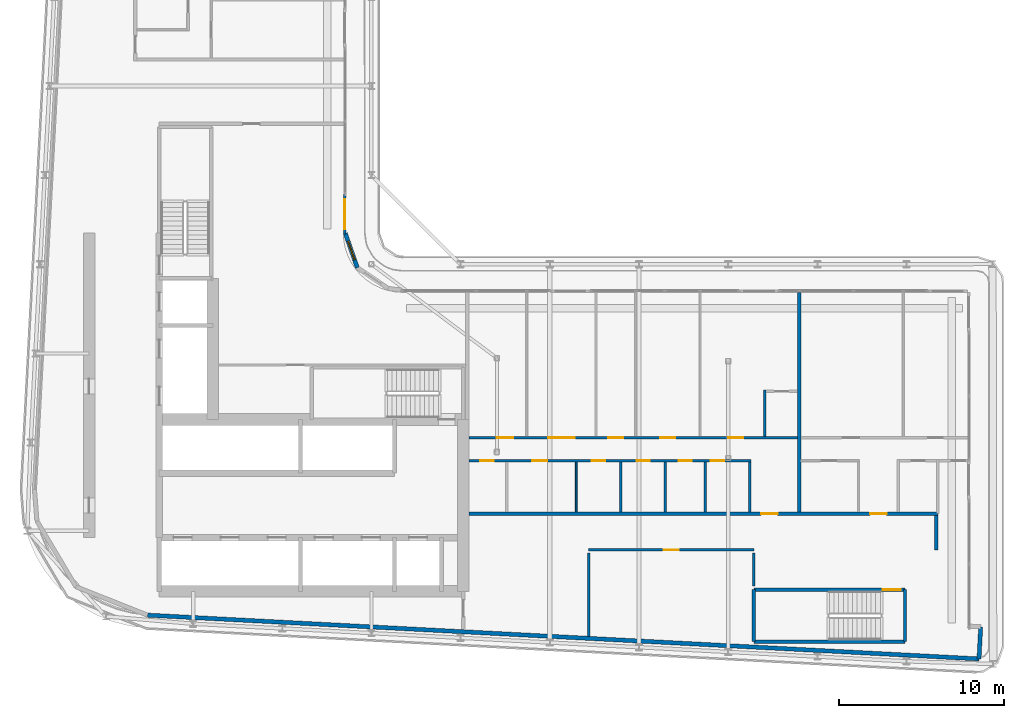
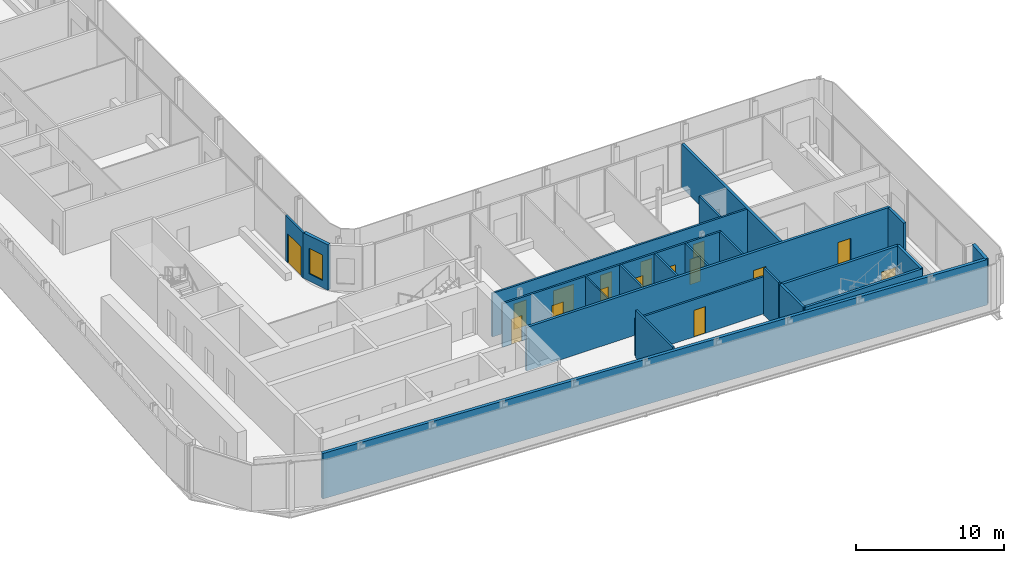
# One storey, part 11 of 21: 22 walls, 16 doors, 1 window, 17 openings.
"""IFC4 building model written with IfcOpenShell, lengths in metres."""

from ifc_helpers import new_model, si_unit, direction, frame, frame_2d, origin, place, context, subcontext, project, spatial, rectangle, extrude, source, transform, mapped, material, layer, layer_set, type_object, element, fill, save


model = new_model("IFC4")

# Units and contexts
model_context = context("Model", 3, precision=1e-05, world=origin(), true_north=direction((0.0, 1.0)))
body_context = subcontext(model_context, "Body", "Model", "MODEL_VIEW")
ifc_project = project(units=[si_unit("LENGTHUNIT", "METRE"), si_unit("AREAUNIT", "SQUARE_METRE"), si_unit("VOLUMEUNIT", "CUBIC_METRE"), si_unit("PLANEANGLEUNIT", "RADIAN"), si_unit("MASSUNIT", "GRAM", prefix="KILO")], contexts=[model_context])

# Site, building, storey
site_placement = place(None, origin())
site = spatial("IfcSite", under=ifc_project, at=site_placement, CompositionType="ELEMENT")
building_placement = place(site_placement, origin())
building = spatial("IfcBuilding", under=site, at=building_placement, Name="Kheshtan School and Residences Tower", CompositionType="ELEMENT")
storey_placement = place(building_placement, frame((0.0, 0.0, 227.89990234375)))
storey = spatial("IfcBuildingStorey", under=building, at=storey_placement, Name="L53", CompositionType="ELEMENT", Elevation=227.89990234375)

# Wall, openings, doors
ifc_material_1 = material(Name="Gypsum board on steel studs with fire boards", Category="steel")
ifc_layer_1 = layer(ifc_material_1, 0.199951171875)
ifc_layer_set_1 = layer_set([ifc_layer_1], Name="Corridor wall 200")
wall_type_1 = type_object("IfcWallType", Name="Corridor wall 200", PredefinedType="PARTITIONING", material=ifc_layer_set_1)
wall_1_placement = place(storey_placement, frame((53.4990234375, 30.5, 0.0), z_axis=(0.0, 0.0, 1.0), x_axis=(1.0, 0.0, 0.0)))
wall_1 = element("IfcWall", 1, at=wall_1_placement, inside=storey, type_object=wall_type_1, Name="Partition L53-024", PredefinedType="PARTITIONING", context=body_context, shape_type="SweptSolid", body=[
    extrude(rectangle(XDim=28.40087890625, YDim=0.199951171875, at=frame_2d((14.200439453125, 0.0))), origin(), (0.0, 0.0, 1.0), 3.60009765625),
])
opening_1_placement = place(wall_1_placement, frame((17.700927734375, 0.0, 0.0)))
opening_1 = element("IfcOpeningElement", 2, at=opening_1_placement, cuts=wall_1, Name="Opening D52-007", PredefinedType="OPENING", context=body_context, shape_type="SweptSolid", body=[
    extrude(rectangle(XDim=1.0, YDim=2.10009765625, at=frame_2d((0.5, 1.050048828125))), frame((0.0, 0.10986328125, 0.0), z_axis=(0.0, -1.0, 0.0), x_axis=(1.0, 0.0, 0.0)), (0.0, 0.0, 1.0), 0.219970703125),
])
opening_2_placement = place(wall_1_placement, frame((24.301025390625, 0.0, 0.0)))
opening_2 = element("IfcOpeningElement", 3, at=opening_2_placement, cuts=wall_1, Name="Opening D52-016", PredefinedType="OPENING", context=body_context, shape_type="SweptSolid", body=[
    extrude(rectangle(XDim=1.0, YDim=2.10009765625, at=frame_2d((0.5, 1.050048828125))), frame((0.0, 0.10986328125, 0.0), z_axis=(0.0, -1.0, 0.0), x_axis=(1.0, 0.0, 0.0)), (0.0, 0.0, 1.0), 0.219970703125),
])
ifc_material_2 = material(Name="Steel-framed fire-resisting door leaf", Category="steel")
door_type_1 = type_object("IfcDoorType", Name="Fire door FD30S 1000 x 2100", OperationType="SINGLE_SWING_LEFT", PredefinedType="DOOR", material=ifc_material_2)
shared_shape_1 = source(origin(), body_context, "Body", "SweptSolid", [
    extrude(rectangle(XDim=1.0, YDim=2.10009765625, at=frame_2d((0.5, 1.050048828125))), frame((0.0, 0.02490234375, 0.0), z_axis=(0.0, -1.0, 0.0), x_axis=(1.0, 0.0, 0.0)), (0.0, 0.0, 1.0), 0.050048828125),
])
door_1_placement = place(opening_1_placement, origin())
door_1 = element("IfcDoor", 4, at=door_1_placement, inside=storey, type_object=door_type_1, Name="Door D52-007", OperationType="SINGLE_SWING_LEFT", OverallHeight=2.10009765625, OverallWidth=1.0, PredefinedType="DOOR", context=body_context, shape_type="MappedRepresentation", body=[
    mapped(shared_shape_1, transform((0.0, 0.0, 0.0), x_axis=(1.0, 0.0, 0.0), y_axis=(0.0, 1.0, 0.0), z_axis=(0.0, 0.0, 1.0), scale=1.0)),
])
fill(opening_1, door_1)
door_2_placement = place(opening_2_placement, origin())
door_2 = element("IfcDoor", 5, at=door_2_placement, inside=storey, type_object=door_type_1, Name="Door D52-016", OperationType="SINGLE_SWING_LEFT", OverallHeight=2.10009765625, OverallWidth=1.0, PredefinedType="DOOR", context=body_context, shape_type="MappedRepresentation", body=[
    mapped(shared_shape_1, transform((0.0, 0.0, 0.0), x_axis=(1.0, 0.0, 0.0), y_axis=(0.0, 1.0, 0.0), z_axis=(0.0, 0.0, 1.0), scale=1.0)),
])
fill(opening_2, door_2)

# Wall
wall_2_placement = place(storey_placement, frame((81.800048828125, 28.300048828125, 0.0), z_axis=(0.0, 0.0, 1.0), x_axis=(0.0, 1.0, 0.0)))
element("IfcWall", 6, at=wall_2_placement, inside=storey, type_object=wall_type_1, Name="Partition L53-046", PredefinedType="PARTITIONING", context=body_context, shape_type="SweptSolid", body=[
    extrude(rectangle(XDim=2.099853515625, YDim=0.199951171875, at=frame_2d((1.0498046875, 0.0))), origin(), (0.0, 0.0, 1.0), 3.60009765625),
])

# Wall, opening, window
ifc_material_3 = material(Name="Concrete C40/50 with ceramic cladding and mineral wool insulation", Category="concrete")
ifc_layer_2 = layer(ifc_material_3, 0.25)
ifc_layer_set_2 = layer_set([ifc_layer_2], Name="External wall 250 ceramic clad")
wall_type_2 = type_object("IfcWallType", Name="External wall 250 ceramic clad", PredefinedType="SOLIDWALL", material=ifc_layer_set_2)
wall_3_placement = place(storey_placement, frame((46.01806640625, 47.470947265625, 0.0), z_axis=(0.0, 0.0, 1.0), x_axis=(0.328791208903, -0.944402637093, 0.0)))
wall_3 = element("IfcWall", 7, at=wall_3_placement, inside=storey, type_object=wall_type_2, Name="External wall L53 5", PredefinedType="SOLIDWALL", context=body_context, shape_type="SweptSolid", body=[
    extrude(rectangle(XDim=2.20458984375, YDim=0.25, at=frame_2d((1.102294921875, 0.0))), origin(), (0.0, 0.0, 1.0), 3.75),
])
opening_3_placement = place(wall_3_placement, frame((0.5029296875, 0.0, 0.60009765625)))
opening_3 = element("IfcOpeningElement", 8, at=opening_3_placement, cuts=wall_3, Name="Opening WN-E", PredefinedType="OPENING", context=body_context, shape_type="SweptSolid", body=[
    extrude(rectangle(XDim=1.199951171875, YDim=2.10009765625, at=frame_2d((0.60009765625, 1.050048828125))), frame((0.0, 0.135009765625, 0.0), z_axis=(0.0, -1.0, 0.0), x_axis=(1.0, 0.0, 0.0)), (0.0, 0.0, 1.0), 0.27001953125),
])
ifc_material_4 = material(Name="Clear low-e glass in thermally broken aluminium frame", Category="aluminium")
window_type = type_object("IfcWindowType", Name="Window WN-E", PartitioningType="SINGLE_PANEL", PredefinedType="WINDOW", material=ifc_material_4)
shared_shape_2 = source(origin(), body_context, "Body", "SweptSolid", [
    extrude(rectangle(XDim=1.199951171875, YDim=2.10009765625, at=frame_2d((0.60009765625, 1.050048828125))), frame((0.0, 0.030029296875, 0.0), z_axis=(0.0, -1.0, 0.0), x_axis=(1.0, 0.0, 0.0)), (0.0, 0.0, 1.0), 0.06005859375),
])
window_placement = place(opening_3_placement, origin())
window = element("IfcWindow", 9, at=window_placement, inside=storey, type_object=window_type, Name="Window L53 5", OverallHeight=2.10009765625, OverallWidth=1.199951171875, PartitioningType="SINGLE_PANEL", PredefinedType="WINDOW", context=body_context, shape_type="MappedRepresentation", body=[
    mapped(shared_shape_2, transform((0.0, 0.0, 0.0), x_axis=(1.0, 0.0, 0.0), y_axis=(0.0, 1.0, 0.0), z_axis=(0.0, 0.0, 1.0), scale=1.0)),
])
fill(opening_3, window)

# Walls
wall_4_placement = place(storey_placement, frame((84.489013671875, 23.64990234375, 0.0), z_axis=(0.0, 0.0, 1.0), x_axis=(-0.052841433274, -0.998602915542, 0.0)))
element("IfcWall", 10, at=wall_4_placement, inside=storey, type_object=wall_type_2, Name="External wall L53 11", PredefinedType="SOLIDWALL", context=body_context, shape_type="SweptSolid", body=[
    extrude(rectangle(XDim=1.94970703125, YDim=0.25, at=frame_2d((0.974853515625, 0.0))), origin(), (0.0, 0.0, 1.0), 3.75),
])
wall_5_placement = place(storey_placement, frame((84.385986328125, 21.702880859375, 0.0), z_axis=(0.0, 0.0, 1.0), x_axis=(-0.998617508267, 0.05256493302, 0.0)))
element("IfcWall", 11, at=wall_5_placement, inside=storey, type_object=wall_type_2, Name="External wall L53 12", PredefinedType="SOLIDWALL", context=body_context, shape_type="SweptSolid", body=[
    extrude(rectangle(XDim=50.41650390625, YDim=0.25, at=frame_2d((25.208251953125, 0.0))), origin(), (0.0, 0.0, 1.0), 3.75),
])

# Wall, opening, door
ifc_material_5 = material(Name="Aluminium frame wall with insulated infill", Category="aluminium")
ifc_layer_3 = layer(ifc_material_5, 0.14990234375)
ifc_layer_set_3 = layer_set([ifc_layer_3], Name="Glazing frame wall 150")
wall_type_3 = type_object("IfcWallType", Name="Glazing frame wall 150", PredefinedType="SOLIDWALL", material=ifc_layer_set_3)
wall_6_placement = place(storey_placement, frame((45.97509765625, 49.830078125, 0.0), z_axis=(0.0, 0.0, 1.0), x_axis=(0.0, -1.0, 0.0)))
wall_6 = element("IfcWall", 12, at=wall_6_placement, inside=storey, type_object=wall_type_3, Name="Balcony door wall L53 4.4", PredefinedType="SOLIDWALL", context=body_context, shape_type="SweptSolid", body=[
    extrude(rectangle(XDim=2.400146484375, YDim=0.14990234375, at=frame_2d((1.2001953125, 0.0))), origin(), (0.0, 0.0, 1.0), 3.75),
])
opening_4_placement = place(wall_6_placement, frame((0.300048828125, 0.0, 0.0)))
opening_4 = element("IfcOpeningElement", 13, at=opening_4_placement, cuts=wall_6, Name="Opening BD", PredefinedType="OPENING", context=body_context, shape_type="SweptSolid", body=[
    extrude(rectangle(XDim=1.800048828125, YDim=2.39990234375, at=frame_2d((0.89990234375, 1.199951171875))), frame((0.0, 0.0849609375, 0.0), z_axis=(0.0, -1.0, 0.0), x_axis=(1.0, 0.0, 0.0)), (0.0, 0.0, 1.0), 0.169921875),
])
door_type_2 = type_object("IfcDoorType", Name="Balcony sliding door", OperationType="SLIDING_TO_LEFT", PredefinedType="DOOR", material=ifc_material_4)
shared_shape_3 = source(origin(), body_context, "Body", "SweptSolid", [
    extrude(rectangle(XDim=1.800048828125, YDim=2.39990234375, at=frame_2d((0.89990234375, 1.199951171875))), frame((0.0, 0.02490234375, 0.0), z_axis=(0.0, -1.0, 0.0), x_axis=(1.0, 0.0, 0.0)), (0.0, 0.0, 1.0), 0.050048828125),
])
door_3_placement = place(opening_4_placement, origin())
door_3 = element("IfcDoor", 14, at=door_3_placement, inside=storey, type_object=door_type_2, Name="Balcony door L53 4.4", OperationType="SLIDING_TO_LEFT", OverallHeight=2.39990234375, OverallWidth=1.800048828125, PredefinedType="DOOR", context=body_context, shape_type="MappedRepresentation", body=[
    mapped(shared_shape_3, transform((0.0, 0.0, 0.0), x_axis=(1.0, 0.0, 0.0), y_axis=(0.0, 1.0, 0.0), z_axis=(0.0, 0.0, 1.0), scale=1.0)),
])
fill(opening_4, door_3)

# Wall
ifc_material_6 = material(Name="Gypsum board on steel studs", Category="steel")
ifc_layer_4 = layer(ifc_material_6, 0.10009765625)
ifc_layer_set_4 = layer_set([ifc_layer_4], Name="Gypsum partition 100")
wall_type_4 = type_object("IfcWallType", Name="Gypsum partition 100", PredefinedType="PARTITIONING", material=ifc_layer_set_4)
wall_7_placement = place(storey_placement, frame((60.0, 30.60009765625, 0.0), z_axis=(0.0, 0.0, 1.0), x_axis=(0.0, 1.0, 0.0)))
element("IfcWall", 15, at=wall_7_placement, inside=storey, type_object=wall_type_4, Name="Partition L53-029", PredefinedType="PARTITIONING", context=body_context, shape_type="SweptSolid", body=[
    extrude(rectangle(XDim=3.02490234375, YDim=0.10009765625, at=frame_2d((1.512451171875, 0.0))), origin(), (0.0, 0.0, 1.0), 3.60009765625),
])

# Wall, opening, door
ifc_material_7 = material(Name="Fire-board shaft wall system")
ifc_layer_5 = layer(ifc_material_7, 0.14990234375)
ifc_layer_set_5 = layer_set([ifc_layer_5], Name="Service room wall 150")
wall_type_5 = type_object("IfcWallType", Name="Service room wall 150", PredefinedType="PARTITIONING", material=ifc_layer_set_5)
wall_8_placement = place(storey_placement, frame((60.75, 28.300048828125, 0.0), z_axis=(0.0, 0.0, 1.0), x_axis=(1.0, 0.0, 0.0)))
wall_8 = element("IfcWall", 16, at=wall_8_placement, inside=storey, type_object=wall_type_5, Name="Service room wall", PredefinedType="PARTITIONING", context=body_context, shape_type="SweptSolid", body=[
    extrude(rectangle(XDim=10.0, YDim=0.14990234375, at=frame_2d((5.0, 0.0))), origin(), (0.0, 0.0, 1.0), 3.072021484375),
])
opening_5_placement = place(wall_8_placement, frame((4.550048828125, 0.0, 0.0)))
opening_5 = element("IfcOpeningElement", 17, at=opening_5_placement, cuts=wall_8, Name="Opening SR90", PredefinedType="OPENING", context=body_context, shape_type="SweptSolid", body=[
    extrude(rectangle(XDim=0.89990234375, YDim=2.199951171875, at=frame_2d((0.449951171875, 1.10009765625))), frame((0.0, 0.0849609375, 0.0), z_axis=(0.0, -1.0, 0.0), x_axis=(1.0, 0.0, 0.0)), (0.0, 0.0, 1.0), 0.169921875),
])
ifc_material_8 = material(Name="Steel door leaf, galvanised", Category="steel")
door_type_3 = type_object("IfcDoorType", Name="Service room door 900 steel 90 min", OperationType="SINGLE_SWING_LEFT", PredefinedType="DOOR", material=ifc_material_8)
shared_shape_4 = source(origin(), body_context, "Body", "SweptSolid", [
    extrude(rectangle(XDim=0.89990234375, YDim=2.199951171875, at=frame_2d((0.449951171875, 1.10009765625))), frame((0.0, 0.02490234375, 0.0), z_axis=(0.0, -1.0, 0.0), x_axis=(1.0, 0.0, 0.0)), (0.0, 0.0, 1.0), 0.050048828125),
])
door_4_placement = place(opening_5_placement, origin())
door_4 = element("IfcDoor", 18, at=door_4_placement, inside=storey, type_object=door_type_3, Name="Service room door", OperationType="SINGLE_SWING_LEFT", OverallHeight=2.199951171875, OverallWidth=0.89990234375, PredefinedType="DOOR", context=body_context, shape_type="MappedRepresentation", body=[
    mapped(shared_shape_4, transform((0.0, 0.0, 0.0), x_axis=(1.0, 0.0, 0.0), y_axis=(0.0, 1.0, 0.0), z_axis=(0.0, 0.0, 1.0), scale=1.0)),
])
fill(opening_5, door_4)

# Walls
wall_9_placement = place(storey_placement, frame((60.75, 23.074951171875, 0.0), z_axis=(0.0, 0.0, 1.0), x_axis=(0.0, 1.0, 0.0)))
element("IfcWall", 19, at=wall_9_placement, inside=storey, type_object=wall_type_5, Name="Service room wall", PredefinedType="PARTITIONING", context=body_context, shape_type="SweptSolid", body=[
    extrude(rectangle(XDim=5.030029296875, YDim=0.14990234375, at=frame_2d((2.51513671875, 0.0))), origin(), (0.0, 0.0, 1.0), 3.900146484375),
])
wall_10_placement = place(storey_placement, frame((70.75, 26.1201171875, 0.0), z_axis=(0.0, 0.0, 1.0), x_axis=(0.0, 1.0, 0.0)))
element("IfcWall", 20, at=wall_10_placement, inside=storey, type_object=wall_type_5, Name="Service room wall", PredefinedType="PARTITIONING", context=body_context, shape_type="SweptSolid", body=[
    extrude(rectangle(XDim=1.98486328125, YDim=0.14990234375, at=frame_2d((0.992431640625, 0.0))), origin(), (0.0, 0.0, 1.0), 3.900146484375),
])
ifc_material_9 = material(Name="Concrete C40/50", Category="concrete")
ifc_layer_6 = layer(ifc_material_9, 0.199951171875)
ifc_layer_set_6 = layer_set([ifc_layer_6], Name="Stair enclosure wall 200 Concrete C40/50")
wall_type_6 = type_object("IfcWallType", Name="Stair enclosure wall 200 Concrete C40/50", PredefinedType="SHEAR", material=ifc_layer_set_6)
wall_11_placement = place(storey_placement, frame((70.75, 22.75, 0.0), z_axis=(0.0, 0.0, 1.0), x_axis=(1.0, 0.0, 0.0)))
element("IfcWall", 21, at=wall_11_placement, inside=storey, type_object=wall_type_6, Name="Stair enclosure wall ST5", PredefinedType="SHEAR", context=body_context, shape_type="SweptSolid", body=[
    extrude(rectangle(XDim=9.159912109375, YDim=0.199951171875, at=frame_2d((4.580078125, 0.0))), origin(), (0.0, 0.0, 1.0), 3.900146484375),
])

# Wall, opening, door
wall_12_placement = place(storey_placement, frame((70.75, 25.89990234375, 0.0), z_axis=(0.0, 0.0, 1.0), x_axis=(1.0, 0.0, 0.0)))
wall_12 = element("IfcWall", 22, at=wall_12_placement, inside=storey, type_object=wall_type_6, Name="Stair enclosure wall ST5", PredefinedType="SHEAR", context=body_context, shape_type="SweptSolid", body=[
    extrude(rectangle(XDim=9.159912109375, YDim=0.199951171875, at=frame_2d((4.580078125, 0.0))), origin(), (0.0, 0.0, 1.0), 3.900146484375),
])
opening_6_placement = place(wall_12_placement, frame((7.81005859375, 0.0, 0.0)))
opening_6 = element("IfcOpeningElement", 23, at=opening_6_placement, cuts=wall_12, Name="Opening ST5D", PredefinedType="OPENING", context=body_context, shape_type="SweptSolid", body=[
    extrude(rectangle(XDim=1.10009765625, YDim=2.199951171875, at=frame_2d((0.550048828125, 1.10009765625))), frame((0.0, 0.10986328125, 0.0), z_axis=(0.0, -1.0, 0.0), x_axis=(1.0, 0.0, 0.0)), (0.0, 0.0, 1.0), 0.219970703125),
])
door_type_4 = type_object("IfcDoorType", Name="Stair door 1100 steel 90 min", OperationType="SINGLE_SWING_LEFT", PredefinedType="DOOR", material=ifc_material_8)
shared_shape_5 = source(origin(), body_context, "Body", "SweptSolid", [
    extrude(rectangle(XDim=1.10009765625, YDim=2.199951171875, at=frame_2d((0.550048828125, 1.10009765625))), frame((0.0, 0.02490234375, 0.0), z_axis=(0.0, -1.0, 0.0), x_axis=(1.0, 0.0, 0.0)), (0.0, 0.0, 1.0), 0.050048828125),
])
door_5_placement = place(opening_6_placement, origin())
door_5 = element("IfcDoor", 24, at=door_5_placement, inside=storey, type_object=door_type_4, Name="Stair ST5 door", OperationType="SINGLE_SWING_LEFT", OverallHeight=2.199951171875, OverallWidth=1.10009765625, PredefinedType="DOOR", context=body_context, shape_type="MappedRepresentation", body=[
    mapped(shared_shape_5, transform((0.0, 0.0, 0.0), x_axis=(1.0, 0.0, 0.0), y_axis=(0.0, 1.0, 0.0), z_axis=(0.0, 0.0, 1.0), scale=1.0)),
])
fill(opening_6, door_5)

# Walls
for number, where, z_axis, x_axis, name in (
    (25, (70.75, 22.75, 0.0), (0.0, 0.0, 1.0), (0.0, 1.0, 0.0), "Stair enclosure wall ST5"),
    (26, (79.909912109375, 22.75, 0.0), (0.0, 0.0, 1.0), (0.0, 1.0, 0.0), "Stair enclosure wall ST5"),
):
    element("IfcWall", number, at=place(storey_placement, frame(where, z_axis=z_axis, x_axis=x_axis)), inside=storey, type_object=wall_type_6, Name=name, PredefinedType="SHEAR", context=body_context, shape_type="SweptSolid", body=[
        extrude(rectangle(XDim=3.14990234375, YDim=0.199951171875, at=frame_2d((1.574951171875, 0.0))), origin(), (0.0, 0.0, 1.0), 3.900146484375),
    ])
ifc_material_10 = material(Name="Twin gypsum board on steel studs with mineral wool", Category="steel")
ifc_layer_7 = layer(ifc_material_10, 0.199951171875)
ifc_layer_set_7 = layer_set([ifc_layer_7], Name="Unit demising wall 200")
wall_type_7 = type_object("IfcWallType", Name="Unit demising wall 200", PredefinedType="PARTITIONING", material=ifc_layer_set_7)
wall_13_placement = place(storey_placement, frame((73.5, 30.60009765625, 0.0), z_axis=(0.0, 0.0, 1.0), x_axis=(0.0, 1.0, 0.0)))
element("IfcWall", 27, at=wall_13_placement, inside=storey, type_object=wall_type_7, Name="Partition L53-039", PredefinedType="PARTITIONING", context=body_context, shape_type="SweptSolid", body=[
    extrude(rectangle(XDim=13.2998046875, YDim=0.199951171875, at=frame_2d((6.64990234375, 0.0))), origin(), (0.0, 0.0, 1.0), 3.60009765625),
])

# Wall, openings, doors
ifc_material_11 = material(Name="Moisture-resistant gypsum board on steel studs", Category="steel")
ifc_layer_8 = layer(ifc_material_11, 0.14990234375)
ifc_layer_set_8 = layer_set([ifc_layer_8], Name="Wet-room partition 150")
wall_type_8 = type_object("IfcWallType", Name="Wet-room partition 150", PredefinedType="PARTITIONING", material=ifc_layer_set_8)
wall_14_placement = place(storey_placement, frame((53.4990234375, 33.699951171875, 0.0), z_axis=(0.0, 0.0, 1.0), x_axis=(1.0, 0.0, 0.0)))
wall_14 = element("IfcWall", 28, at=wall_14_placement, inside=storey, type_object=wall_type_8, Name="Partition L53-025", PredefinedType="PARTITIONING", context=body_context, shape_type="SweptSolid", body=[
    extrude(rectangle(XDim=17.075927734375, YDim=0.14990234375, at=frame_2d((8.5380859375, 0.0))), origin(), (0.0, 0.0, 1.0), 3.60009765625),
])
opening_7_placement = place(wall_14_placement, frame((10.15087890625, 0.0, 0.0)))
opening_7 = element("IfcOpeningElement", 29, at=opening_7_placement, cuts=wall_14, Name="Opening D52-001", PredefinedType="OPENING", context=body_context, shape_type="SweptSolid", body=[
    extrude(rectangle(XDim=0.800048828125, YDim=2.10009765625, at=frame_2d((0.39990234375, 1.050048828125))), frame((0.0, 0.0849609375, 0.0), z_axis=(0.0, -1.0, 0.0), x_axis=(1.0, 0.0, 0.0)), (0.0, 0.0, 1.0), 0.169921875),
])
opening_8_placement = place(wall_14_placement, frame((14.65087890625, 0.0, 0.0)))
opening_8 = element("IfcOpeningElement", 30, at=opening_8_placement, cuts=wall_14, Name="Opening D52-002", PredefinedType="OPENING", context=body_context, shape_type="SweptSolid", body=[
    extrude(rectangle(XDim=0.800048828125, YDim=2.10009765625, at=frame_2d((0.39990234375, 1.050048828125))), frame((0.0, 0.0849609375, 0.0), z_axis=(0.0, -1.0, 0.0), x_axis=(1.0, 0.0, 0.0)), (0.0, 0.0, 1.0), 0.169921875),
])
opening_9_placement = place(wall_14_placement, frame((7.450927734375, 0.0, 0.0)))
opening_9 = element("IfcOpeningElement", 31, at=opening_9_placement, cuts=wall_14, Name="Opening D52-005", PredefinedType="OPENING", context=body_context, shape_type="SweptSolid", body=[
    extrude(rectangle(XDim=0.800048828125, YDim=2.10009765625, at=frame_2d((0.39990234375, 1.050048828125))), frame((0.0, 0.0849609375, 0.0), z_axis=(0.0, -1.0, 0.0), x_axis=(1.0, 0.0, 0.0)), (0.0, 0.0, 1.0), 0.169921875),
])
opening_10_placement = place(wall_14_placement, frame((3.85107421875, 0.0, 0.0)))
opening_10 = element("IfcOpeningElement", 32, at=opening_10_placement, cuts=wall_14, Name="Opening D52-008", PredefinedType="OPENING", context=body_context, shape_type="SweptSolid", body=[
    extrude(rectangle(XDim=0.89990234375, YDim=2.10009765625, at=frame_2d((0.449951171875, 1.050048828125))), frame((0.0, 0.0849609375, 0.0), z_axis=(0.0, -1.0, 0.0), x_axis=(1.0, 0.0, 0.0)), (0.0, 0.0, 1.0), 0.169921875),
])
opening_11_placement = place(wall_14_placement, frame((0.700927734375, 0.0, 0.0)))
opening_11 = element("IfcOpeningElement", 33, at=opening_11_placement, cuts=wall_14, Name="Opening D52-009", PredefinedType="OPENING", context=body_context, shape_type="SweptSolid", body=[
    extrude(rectangle(XDim=0.800048828125, YDim=2.10009765625, at=frame_2d((0.39990234375, 1.050048828125))), frame((0.0, 0.0849609375, 0.0), z_axis=(0.0, -1.0, 0.0), x_axis=(1.0, 0.0, 0.0)), (0.0, 0.0, 1.0), 0.169921875),
])
opening_12_placement = place(wall_14_placement, frame((12.700927734375, 0.0, 0.0)))
opening_12 = element("IfcOpeningElement", 34, at=opening_12_placement, cuts=wall_14, Name="Opening D52-013", PredefinedType="OPENING", context=body_context, shape_type="SweptSolid", body=[
    extrude(rectangle(XDim=0.800048828125, YDim=2.10009765625, at=frame_2d((0.39990234375, 1.050048828125))), frame((0.0, 0.0849609375, 0.0), z_axis=(0.0, -1.0, 0.0), x_axis=(1.0, 0.0, 0.0)), (0.0, 0.0, 1.0), 0.169921875),
])
ifc_material_12 = material(Name="Veneered timber door leaf", Category="wood")
door_type_5 = type_object("IfcDoorType", Name="Door 800 x 2100", OperationType="SINGLE_SWING_LEFT", PredefinedType="DOOR", material=ifc_material_12)
shared_shape_6 = source(origin(), body_context, "Body", "SweptSolid", [
    extrude(rectangle(XDim=0.800048828125, YDim=2.10009765625, at=frame_2d((0.39990234375, 1.050048828125))), frame((0.0, 0.02490234375, 0.0), z_axis=(0.0, -1.0, 0.0), x_axis=(1.0, 0.0, 0.0)), (0.0, 0.0, 1.0), 0.050048828125),
])
door_6_placement = place(opening_7_placement, origin())
door_6 = element("IfcDoor", 35, at=door_6_placement, inside=storey, type_object=door_type_5, Name="Door D52-001", OperationType="SINGLE_SWING_LEFT", OverallHeight=2.10009765625, OverallWidth=0.800048828125, PredefinedType="DOOR", context=body_context, shape_type="MappedRepresentation", body=[
    mapped(shared_shape_6, transform((0.0, 0.0, 0.0), x_axis=(1.0, 0.0, 0.0), y_axis=(0.0, 1.0, 0.0), z_axis=(0.0, 0.0, 1.0), scale=1.0)),
])
fill(opening_7, door_6)
door_7_placement = place(opening_8_placement, origin())
door_7 = element("IfcDoor", 36, at=door_7_placement, inside=storey, type_object=door_type_5, Name="Door D52-002", OperationType="SINGLE_SWING_RIGHT", OverallHeight=2.10009765625, OverallWidth=0.800048828125, PredefinedType="DOOR", context=body_context, shape_type="MappedRepresentation", body=[
    mapped(shared_shape_6, transform((0.0, 0.0, 0.0), x_axis=(1.0, 0.0, 0.0), y_axis=(0.0, 1.0, 0.0), z_axis=(0.0, 0.0, 1.0), scale=1.0)),
])
fill(opening_8, door_7)
door_8_placement = place(opening_9_placement, origin())
door_8 = element("IfcDoor", 37, at=door_8_placement, inside=storey, type_object=door_type_5, Name="Door D52-005", OperationType="SINGLE_SWING_RIGHT", OverallHeight=2.10009765625, OverallWidth=0.800048828125, PredefinedType="DOOR", context=body_context, shape_type="MappedRepresentation", body=[
    mapped(shared_shape_6, transform((0.0, 0.0, 0.0), x_axis=(1.0, 0.0, 0.0), y_axis=(0.0, 1.0, 0.0), z_axis=(0.0, 0.0, 1.0), scale=1.0)),
])
fill(opening_9, door_8)
door_9_placement = place(opening_11_placement, origin())
door_9 = element("IfcDoor", 38, at=door_9_placement, inside=storey, type_object=door_type_5, Name="Door D52-009", OperationType="SINGLE_SWING_RIGHT", OverallHeight=2.10009765625, OverallWidth=0.800048828125, PredefinedType="DOOR", context=body_context, shape_type="MappedRepresentation", body=[
    mapped(shared_shape_6, transform((0.0, 0.0, 0.0), x_axis=(1.0, 0.0, 0.0), y_axis=(0.0, 1.0, 0.0), z_axis=(0.0, 0.0, 1.0), scale=1.0)),
])
fill(opening_11, door_9)
door_10_placement = place(opening_12_placement, origin())
door_10 = element("IfcDoor", 39, at=door_10_placement, inside=storey, type_object=door_type_5, Name="Door D52-013", OperationType="SINGLE_SWING_RIGHT", OverallHeight=2.10009765625, OverallWidth=0.800048828125, PredefinedType="DOOR", context=body_context, shape_type="MappedRepresentation", body=[
    mapped(shared_shape_6, transform((0.0, 0.0, 0.0), x_axis=(1.0, 0.0, 0.0), y_axis=(0.0, 1.0, 0.0), z_axis=(0.0, 0.0, 1.0), scale=1.0)),
])
fill(opening_12, door_10)
door_type_6 = type_object("IfcDoorType", Name="Door 900 x 2100", OperationType="SINGLE_SWING_LEFT", PredefinedType="DOOR", material=ifc_material_12)
shared_shape_7 = source(origin(), body_context, "Body", "SweptSolid", [
    extrude(rectangle(XDim=0.89990234375, YDim=2.10009765625, at=frame_2d((0.449951171875, 1.050048828125))), frame((0.0, 0.02490234375, 0.0), z_axis=(0.0, -1.0, 0.0), x_axis=(1.0, 0.0, 0.0)), (0.0, 0.0, 1.0), 0.050048828125),
])
door_11_placement = place(opening_10_placement, origin())
door_11 = element("IfcDoor", 40, at=door_11_placement, inside=storey, type_object=door_type_6, Name="Door D52-008", OperationType="SINGLE_SWING_RIGHT", OverallHeight=2.10009765625, OverallWidth=0.89990234375, PredefinedType="DOOR", context=body_context, shape_type="MappedRepresentation", body=[
    mapped(shared_shape_7, transform((0.0, 0.0, 0.0), x_axis=(1.0, 0.0, 0.0), y_axis=(0.0, 1.0, 0.0), z_axis=(0.0, 0.0, 1.0), scale=1.0)),
])
fill(opening_10, door_11)

wall_15_placement = place(storey_placement, frame((53.4990234375, 35.10009765625, 0.0), z_axis=(0.0, 0.0, 1.0), x_axis=(1.0, 0.0, 0.0)))
wall_15 = element("IfcWall", 41, at=wall_15_placement, inside=storey, type_object=wall_type_8, Name="Partition L53-026", PredefinedType="PARTITIONING", context=body_context, shape_type="SweptSolid", body=[
    extrude(rectangle(XDim=19.90087890625, YDim=0.14990234375, at=frame_2d((9.950439453125, 0.0))), origin(), (0.0, 0.0, 1.0), 3.60009765625),
])
opening_13_placement = place(wall_15_placement, frame((8.450927734375, 0.0, 0.0)))
opening_13 = element("IfcOpeningElement", 42, at=opening_13_placement, cuts=wall_15, Name="Opening D52-003", PredefinedType="OPENING", context=body_context, shape_type="SweptSolid", body=[
    extrude(rectangle(XDim=0.89990234375, YDim=2.10009765625, at=frame_2d((0.449951171875, 1.050048828125))), frame((0.0, 0.0849609375, 0.0), z_axis=(0.0, -1.0, 0.0), x_axis=(1.0, 0.0, 0.0)), (0.0, 0.0, 1.0), 0.169921875),
])
opening_14_placement = place(wall_15_placement, frame((11.60107421875, 0.0, 0.0)))
opening_14 = element("IfcOpeningElement", 43, at=opening_14_placement, cuts=wall_15, Name="Opening D52-004", PredefinedType="OPENING", context=body_context, shape_type="SweptSolid", body=[
    extrude(rectangle(XDim=0.89990234375, YDim=2.10009765625, at=frame_2d((0.449951171875, 1.050048828125))), frame((0.0, 0.0849609375, 0.0), z_axis=(0.0, -1.0, 0.0), x_axis=(1.0, 0.0, 0.0)), (0.0, 0.0, 1.0), 0.169921875),
])
opening_15_placement = place(wall_15_placement, frame((1.700927734375, 0.0, 0.0)))
opening_15 = element("IfcOpeningElement", 44, at=opening_15_placement, cuts=wall_15, Name="Opening D52-010", PredefinedType="OPENING", context=body_context, shape_type="SweptSolid", body=[
    extrude(rectangle(XDim=1.0, YDim=2.10009765625, at=frame_2d((0.5, 1.050048828125))), frame((0.0, 0.0849609375, 0.0), z_axis=(0.0, -1.0, 0.0), x_axis=(1.0, 0.0, 0.0)), (0.0, 0.0, 1.0), 0.169921875),
])
opening_16_placement = place(wall_15_placement, frame((4.801025390625, 0.0, 0.0)))
opening_16 = element("IfcOpeningElement", 45, at=opening_16_placement, cuts=wall_15, Name="Opening D52-011", PredefinedType="OPENING", context=body_context, shape_type="SweptSolid", body=[
    extrude(rectangle(XDim=1.60009765625, YDim=2.10009765625, at=frame_2d((0.800048828125, 1.050048828125))), frame((0.0, 0.0849609375, 0.0), z_axis=(0.0, -1.0, 0.0), x_axis=(1.0, 0.0, 0.0)), (0.0, 0.0, 1.0), 0.169921875),
])
opening_17_placement = place(wall_15_placement, frame((15.700927734375, 0.0, 0.0)))
opening_17 = element("IfcOpeningElement", 46, at=opening_17_placement, cuts=wall_15, Name="Opening D52-012", PredefinedType="OPENING", context=body_context, shape_type="SweptSolid", body=[
    extrude(rectangle(XDim=0.89990234375, YDim=2.10009765625, at=frame_2d((0.449951171875, 1.050048828125))), frame((0.0, 0.0849609375, 0.0), z_axis=(0.0, -1.0, 0.0), x_axis=(1.0, 0.0, 0.0)), (0.0, 0.0, 1.0), 0.169921875),
])
door_type_7 = type_object("IfcDoorType", Name="Door 1000 x 2100", OperationType="SINGLE_SWING_LEFT", PredefinedType="DOOR", material=ifc_material_12)
shared_shape_8 = source(origin(), body_context, "Body", "SweptSolid", [
    extrude(rectangle(XDim=1.0, YDim=2.10009765625, at=frame_2d((0.5, 1.050048828125))), frame((0.0, 0.02490234375, 0.0), z_axis=(0.0, -1.0, 0.0), x_axis=(1.0, 0.0, 0.0)), (0.0, 0.0, 1.0), 0.050048828125),
])
door_12_placement = place(opening_15_placement, origin())
door_12 = element("IfcDoor", 47, at=door_12_placement, inside=storey, type_object=door_type_7, Name="Door D52-010", OperationType="SINGLE_SWING_RIGHT", OverallHeight=2.10009765625, OverallWidth=1.0, PredefinedType="DOOR", context=body_context, shape_type="MappedRepresentation", body=[
    mapped(shared_shape_8, transform((0.0, 0.0, 0.0), x_axis=(1.0, 0.0, 0.0), y_axis=(0.0, 1.0, 0.0), z_axis=(0.0, 0.0, 1.0), scale=1.0)),
])
fill(opening_15, door_12)
door_13_placement = place(opening_13_placement, origin())
door_13 = element("IfcDoor", 48, at=door_13_placement, inside=storey, type_object=door_type_6, Name="Door D52-003", OperationType="SINGLE_SWING_LEFT", OverallHeight=2.10009765625, OverallWidth=0.89990234375, PredefinedType="DOOR", context=body_context, shape_type="MappedRepresentation", body=[
    mapped(shared_shape_7, transform((0.0, 0.0, 0.0), x_axis=(1.0, 0.0, 0.0), y_axis=(0.0, 1.0, 0.0), z_axis=(0.0, 0.0, 1.0), scale=1.0)),
])
fill(opening_13, door_13)
door_14_placement = place(opening_14_placement, origin())
door_14 = element("IfcDoor", 49, at=door_14_placement, inside=storey, type_object=door_type_6, Name="Door D52-004", OperationType="SINGLE_SWING_RIGHT", OverallHeight=2.10009765625, OverallWidth=0.89990234375, PredefinedType="DOOR", context=body_context, shape_type="MappedRepresentation", body=[
    mapped(shared_shape_7, transform((0.0, 0.0, 0.0), x_axis=(1.0, 0.0, 0.0), y_axis=(0.0, 1.0, 0.0), z_axis=(0.0, 0.0, 1.0), scale=1.0)),
])
fill(opening_14, door_14)
door_15_placement = place(opening_17_placement, origin())
door_15 = element("IfcDoor", 50, at=door_15_placement, inside=storey, type_object=door_type_6, Name="Door D52-012", OperationType="SINGLE_SWING_RIGHT", OverallHeight=2.10009765625, OverallWidth=0.89990234375, PredefinedType="DOOR", context=body_context, shape_type="MappedRepresentation", body=[
    mapped(shared_shape_7, transform((0.0, 0.0, 0.0), x_axis=(1.0, 0.0, 0.0), y_axis=(0.0, 1.0, 0.0), z_axis=(0.0, 0.0, 1.0), scale=1.0)),
])
fill(opening_17, door_15)
door_type_8 = type_object("IfcDoorType", Name="Double door 1600 x 2100", OperationType="DOUBLE_DOOR_SINGLE_SWING", PredefinedType="DOOR", material=ifc_material_12)
shared_shape_9 = source(origin(), body_context, "Body", "SweptSolid", [
    extrude(rectangle(XDim=1.60009765625, YDim=2.10009765625, at=frame_2d((0.800048828125, 1.050048828125))), frame((0.0, 0.02490234375, 0.0), z_axis=(0.0, -1.0, 0.0), x_axis=(1.0, 0.0, 0.0)), (0.0, 0.0, 1.0), 0.050048828125),
])
door_16_placement = place(opening_16_placement, origin())
door_16 = element("IfcDoor", 51, at=door_16_placement, inside=storey, type_object=door_type_8, Name="Door D52-011", OperationType="DOUBLE_DOOR_SINGLE_SWING", OverallHeight=2.10009765625, OverallWidth=1.60009765625, PredefinedType="DOOR", context=body_context, shape_type="MappedRepresentation", body=[
    mapped(shared_shape_9, transform((0.0, 0.0, 0.0), x_axis=(1.0, 0.0, 0.0), y_axis=(0.0, 1.0, 0.0), z_axis=(0.0, 0.0, 1.0), scale=1.0)),
])
fill(opening_16, door_16)

# Walls
for number, where, z_axis, x_axis, name in (
    (52, (62.699951171875, 30.60009765625, 0.0), (0.0, 0.0, 1.0), (0.0, 1.0, 0.0), "Partition L53-031"),
    (53, (65.39990234375, 30.60009765625, 0.0), (0.0, 0.0, 1.0), (0.0, 1.0, 0.0), "Partition L53-033"),
    (54, (67.800048828125, 30.60009765625, 0.0), (0.0, 0.0, 1.0), (0.0, 1.0, 0.0), "Partition L53-035"),
    (55, (70.5, 30.60009765625, 0.0), (0.0, 0.0, 1.0), (0.0, 1.0, 0.0), "Partition L53-036"),
):
    element("IfcWall", number, at=place(storey_placement, frame(where, z_axis=z_axis, x_axis=x_axis)), inside=storey, type_object=wall_type_8, Name=name, PredefinedType="PARTITIONING", context=body_context, shape_type="SweptSolid", body=[
        extrude(rectangle(XDim=3.02490234375, YDim=0.14990234375, at=frame_2d((1.512451171875, 0.0))), origin(), (0.0, 0.0, 1.0), 3.60009765625),
    ])
wall_16_placement = place(storey_placement, frame((71.39990234375, 35.175048828125, 0.0), z_axis=(0.0, 0.0, 1.0), x_axis=(0.0, 1.0, 0.0)))
element("IfcWall", 56, at=wall_16_placement, inside=storey, type_object=wall_type_8, Name="Partition L53-037", PredefinedType="PARTITIONING", context=body_context, shape_type="SweptSolid", body=[
    extrude(rectangle(XDim=2.800048828125, YDim=0.14990234375, at=frame_2d((1.39990234375, 0.0))), origin(), (0.0, 0.0, 1.0), 3.60009765625),
])

save(model, "model.ifc")
